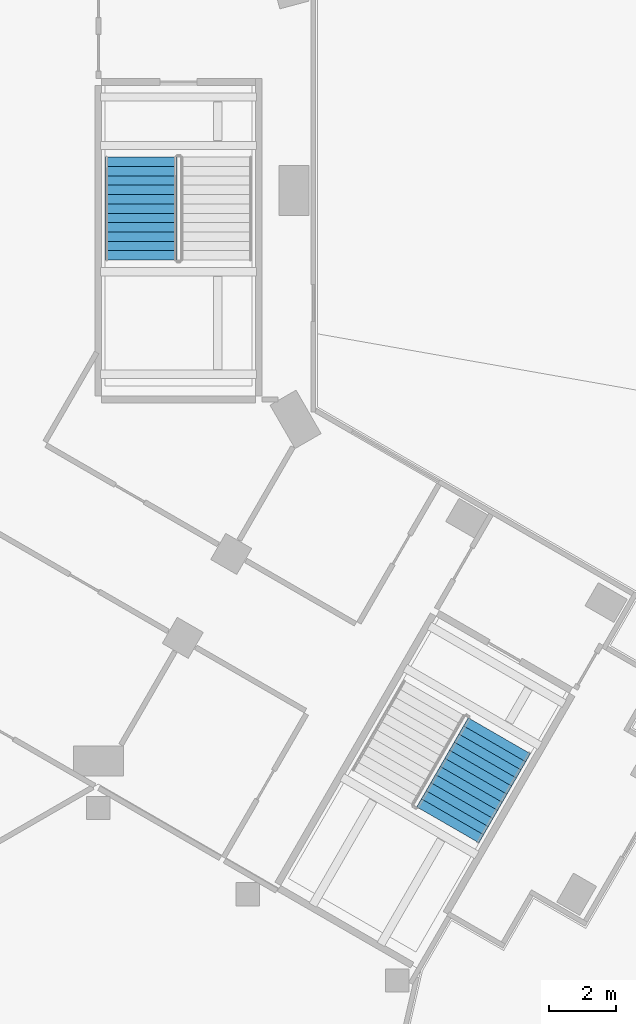
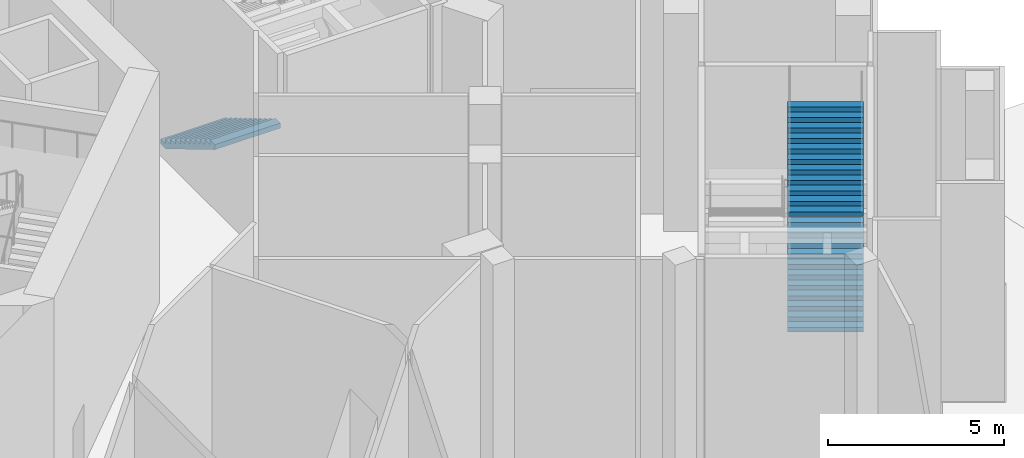
# One storey, part 19 of 30: 3 stair flights, 2 elements without a shape of their own.
"""IFC4 building model written with IfcOpenShell, lengths in metres."""

from ifc_helpers import new_model, si_unit, direction, frame, origin, place, context, subcontext, project, spatial, triangles, material, type_object, element, aggregate, save


model = new_model("IFC4")

# Units and contexts
model_context = context("Model", 3, precision=1e-05, world=origin(), true_north=direction((0.0, 1.0)))
body_context = subcontext(model_context, "Body", "Model", "MODEL_VIEW")
ifc_project = project(units=[si_unit("LENGTHUNIT", "METRE"), si_unit("AREAUNIT", "SQUARE_METRE"), si_unit("VOLUMEUNIT", "CUBIC_METRE"), si_unit("PLANEANGLEUNIT", "RADIAN"), si_unit("MASSUNIT", "GRAM", prefix="KILO")], contexts=[model_context])

# Site, building, storey
site_placement = place(None, origin())
site = spatial("IfcSite", under=ifc_project, at=site_placement, CompositionType="ELEMENT")
building_placement = place(site_placement, origin())
building = spatial("IfcBuilding", under=site, at=building_placement, Name="Verdalira Terraces Hotel", CompositionType="ELEMENT")
storey_placement = place(building_placement, origin())
storey = spatial("IfcBuildingStorey", under=building, at=storey_placement, Name="L00", CompositionType="ELEMENT", Elevation=0.0)

# Stair, stair flights
ifc_material_1 = material(Name="Concrete C40", Category="concrete")
stair_type = type_object("IfcStairType", Name="Podium stair 48 risers", PredefinedType="HALF_TURN_STAIR", material=ifc_material_1)
stair_1_placement = place(storey_placement, origin())
stair_1 = element("IfcStair", 1, at=stair_1_placement, inside=storey, type_object=stair_type, Name="L00 Exit stair PS3", PredefinedType="HALF_TURN_STAIR")
ifc_material_2 = material(Name="Concrete C40", Category="concrete")
stair_flight_type = type_object("IfcStairFlightType", Name="Podium stair flight 48 risers", PredefinedType="STRAIGHT", material=ifc_material_2)
stair_flight_1_placement = place(storey_placement, frame((28.214844, -18.980225, 2.0), z_axis=(0.0, 0.0, 1.0), x_axis=(0.5, 0.866025404, 0.0)))
stair_flight_1 = element("IfcStairFlight", 2, at=stair_flight_1_placement, type_object=stair_flight_type, Name="PS3 flight 2", NumberOfRisers=12, NumberOfTreads=11, PredefinedType="STRAIGHT", RiserHeight=0.166666667, TreadLength=0.28, context=body_context, shape_type="Tessellation", body=[
    triangles([(0.0, 1.074951, 0.0), (0.292969, 1.074951, 0.0), (3.080078, 1.074951, 1.658936), (0.0, -1.074951, 0.0), (0.292969, -1.074951, 0.0), (3.080078, -1.074951, 1.658936), (3.080078, 1.074951, 1.833252), (2.800049, 1.074951, 1.833252), (3.080078, -1.074951, 1.833252), (2.800049, -1.074951, 1.833252), (2.800049, 1.074951, 1.666748), (2.800049, -1.074951, 1.666748), (2.52002, 1.074951, 1.666748), (2.52002, -1.074951, 1.666748), (2.52002, 1.074951, 1.5), (2.52002, -1.074951, 1.5), (2.23999, 1.074951, 1.5), (2.23999, 1.074951, 1.333252), (2.23999, -1.074951, 1.5), (2.23999, -1.074951, 1.333252), (1.959961, 1.074951, 1.333252), (1.959961, 1.074951, 1.166748), (1.959961, -1.074951, 1.333252), (1.959961, -1.074951, 1.166748), (1.679932, 1.074951, 1.166748), (1.679932, 1.074951, 1.0), (1.679932, -1.074951, 1.166748), (1.679932, -1.074951, 1.0), (1.399902, 1.074951, 1.0), (1.399902, 1.074951, 0.833252), (1.399902, -1.074951, 1.0), (1.399902, -1.074951, 0.833252), (1.120117, 1.074951, 0.833252), (1.120117, 1.074951, 0.666748), (1.120117, -1.074951, 0.833252), (1.120117, -1.074951, 0.666748), (0.840088, 1.074951, 0.666748), (0.840088, 1.074951, 0.5), (0.840088, -1.074951, 0.666748), (0.840088, -1.074951, 0.5), (0.560059, 1.074951, 0.5), (0.560059, 1.074951, 0.333252), (0.560059, -1.074951, 0.5), (0.560059, -1.074951, 0.333252), (0.280029, 1.074951, 0.333252), (0.280029, 1.074951, 0.166748), (0.280029, -1.074951, 0.333252), (0.280029, -1.074951, 0.166748), (0.0, 1.074951, 0.166748), (0.0, -1.074951, 0.166748), (0.0, -1.007767, 0.0), (0.0, -1.007767, 0.166748), (0.0, -0.940582, 0.0), (0.0, -0.940582, 0.166748), (0.0, -0.873398, 0.0), (0.0, -0.873398, 0.166748), (0.0, -0.806213, 0.0), (0.0, -0.806213, 0.166748), (0.0, -0.739029, 0.0), (0.0, -0.739029, 0.166748), (0.0, -0.671844, 0.0), (0.0, -0.671844, 0.166748), (0.0, -0.60466, 0.0), (0.0, -0.60466, 0.166748), (0.0, -0.537476, 0.0), (0.0, -0.537476, 0.166748), (0.0, -0.470291, 0.0), (0.0, -0.470291, 0.166748), (0.0, -0.403107, 0.0), (0.0, -0.403107, 0.166748), (0.0, -0.335922, 0.0), (0.0, -0.335922, 0.166748), (0.0, -0.268738, 0.0), (0.0, -0.268738, 0.166748), (0.0, -0.201553, 0.0), (0.0, -0.201553, 0.166748), (0.0, -0.134369, 0.0), (0.0, -0.134369, 0.166748), (0.0, -0.067184, 0.0), (0.0, -0.067184, 0.166748), (0.0, 0.0, 0.0), (0.0, 0.0, 0.166748), (0.0, 0.067184, 0.0), (0.0, 0.067184, 0.166748), (0.0, 0.134369, 0.0), (0.0, 0.134369, 0.166748), (0.0, 0.201553, 0.0), (0.0, 0.201553, 0.166748), (0.0, 0.268738, 0.0), (0.0, 0.268738, 0.166748), (0.0, 0.335922, 0.0), (0.0, 0.335922, 0.166748), (0.0, 0.403107, 0.0), (0.0, 0.403107, 0.166748), (0.0, 0.470291, 0.0), (0.0, 0.470291, 0.166748), (0.0, 0.537476, 0.0), (0.0, 0.537476, 0.166748), (0.0, 0.60466, 0.0), (0.0, 0.60466, 0.166748), (0.0, 0.671844, 0.0), (0.0, 0.671844, 0.166748), (0.0, 0.739029, 0.0), (0.0, 0.739029, 0.166748), (0.0, 0.806213, 0.0), (0.0, 0.806213, 0.166748), (0.0, 0.873398, 0.0), (0.0, 0.873398, 0.166748), (0.0, 0.940582, 0.0), (0.0, 0.940582, 0.166748), (0.0, 1.007767, 0.0), (0.0, 1.007767, 0.166748), (3.080078, -1.007767, 1.833252), (3.080078, -0.940582, 1.833252), (3.080078, -0.873398, 1.833252), (3.080078, -0.806213, 1.833252), (3.080078, -0.739029, 1.833252), (3.080078, -0.671844, 1.833252), (3.080078, -0.60466, 1.833252), (3.080078, -0.537476, 1.833252), (3.080078, -0.470291, 1.833252), (3.080078, -0.403107, 1.833252), (3.080078, -0.335922, 1.833252), (3.080078, -0.268738, 1.833252), (3.080078, -0.201553, 1.833252), (3.080078, -0.134369, 1.833252), (3.080078, -0.067184, 1.833252), (3.080078, 0.0, 1.833252), (3.080078, 0.067184, 1.833252), (3.080078, 0.134369, 1.833252), (3.080078, 0.201553, 1.833252), (3.080078, 0.268738, 1.833252), (3.080078, 0.335922, 1.833252), (3.080078, 0.403107, 1.833252), (3.080078, 0.470291, 1.833252), (3.080078, 0.537476, 1.833252), (3.080078, 0.60466, 1.833252), (3.080078, 0.671844, 1.833252), (3.080078, 0.739029, 1.833252), (3.080078, 0.806213, 1.833252), (3.080078, 0.873398, 1.833252), (3.080078, 0.940582, 1.833252), (3.080078, 1.007767, 1.833252), (3.080078, -1.007767, 1.658936), (3.080078, -0.940582, 1.658936), (3.080078, -0.873398, 1.658936), (3.080078, -0.806213, 1.658936), (3.080078, -0.739029, 1.658936), (3.080078, -0.671844, 1.658936), (3.080078, -0.60466, 1.658936), (3.080078, -0.537476, 1.658936), (3.080078, -0.470291, 1.658936), (3.080078, -0.403107, 1.658936), (3.080078, -0.335922, 1.658936), (3.080078, -0.268738, 1.658936), (3.080078, -0.201553, 1.658936), (3.080078, -0.134369, 1.658936), (3.080078, -0.067184, 1.658936), (3.080078, 0.0, 1.658936), (3.080078, 0.067184, 1.658936), (3.080078, 0.134369, 1.658936), (3.080078, 0.201553, 1.658936), (3.080078, 0.268738, 1.658936), (3.080078, 0.335922, 1.658936), (3.080078, 0.403107, 1.658936), (3.080078, 0.470291, 1.658936), (3.080078, 0.537476, 1.658936), (3.080078, 0.60466, 1.658936), (3.080078, 0.671844, 1.658936), (3.080078, 0.739029, 1.658936), (3.080078, 0.806213, 1.658936), (3.080078, 0.873398, 1.658936), (3.080078, 0.940582, 1.658936), (3.080078, 1.007767, 1.658936)], [[1, 3, 2], [4, 5, 6], [3, 8, 7], [6, 9, 10], [3, 11, 8], [6, 10, 12], [3, 13, 11], [6, 12, 14], [3, 15, 13], [6, 14, 16], [15, 18, 17], [16, 19, 20], [3, 18, 15], [6, 16, 20], [18, 22, 21], [20, 23, 24], [3, 22, 18], [6, 20, 24], [22, 26, 25], [24, 27, 28], [3, 26, 22], [6, 24, 28], [26, 30, 29], [28, 31, 32], [3, 30, 26], [6, 28, 32], [30, 34, 33], [32, 35, 36], [3, 34, 30], [6, 32, 36], [34, 38, 37], [36, 39, 40], [3, 38, 34], [6, 36, 40], [38, 42, 41], [40, 43, 44], [3, 42, 38], [6, 40, 44], [1, 42, 3], [4, 6, 44], [42, 46, 45], [44, 47, 48], [1, 46, 42], [4, 44, 48], [46, 1, 49], [48, 50, 4], [4, 52, 51], [4, 50, 52], [51, 54, 53], [51, 52, 54], [53, 56, 55], [53, 54, 56], [55, 58, 57], [55, 56, 58], [57, 60, 59], [57, 58, 60], [59, 62, 61], [59, 60, 62], [61, 64, 63], [61, 62, 64], [63, 66, 65], [63, 64, 66], [65, 68, 67], [65, 66, 68], [67, 70, 69], [67, 68, 70], [69, 72, 71], [69, 70, 72], [71, 74, 73], [71, 72, 74], [73, 76, 75], [73, 74, 76], [75, 78, 77], [75, 76, 78], [77, 80, 79], [77, 78, 80], [79, 82, 81], [79, 80, 82], [81, 84, 83], [81, 82, 84], [83, 86, 85], [83, 84, 86], [85, 88, 87], [85, 86, 88], [87, 90, 89], [87, 88, 90], [89, 92, 91], [89, 90, 92], [91, 94, 93], [91, 92, 94], [93, 96, 95], [93, 94, 96], [95, 98, 97], [95, 96, 98], [97, 100, 99], [97, 98, 100], [99, 102, 101], [99, 100, 102], [101, 104, 103], [101, 102, 104], [103, 106, 105], [103, 104, 106], [105, 108, 107], [105, 106, 108], [107, 110, 109], [107, 108, 110], [109, 112, 111], [109, 110, 112], [111, 49, 1], [111, 112, 49], [50, 48, 52], [52, 48, 54], [54, 48, 56], [56, 48, 58], [58, 48, 60], [60, 48, 62], [62, 48, 64], [64, 48, 66], [66, 48, 68], [68, 48, 70], [70, 48, 72], [72, 48, 74], [74, 48, 76], [76, 48, 78], [78, 48, 80], [80, 48, 82], [82, 48, 84], [84, 48, 86], [86, 48, 88], [88, 48, 90], [90, 48, 92], [92, 48, 94], [94, 48, 96], [96, 48, 98], [98, 48, 100], [100, 48, 102], [102, 48, 104], [104, 48, 106], [106, 48, 108], [108, 48, 110], [110, 48, 112], [112, 48, 49], [49, 48, 46], [48, 45, 46], [48, 47, 45], [47, 42, 45], [47, 44, 42], [44, 41, 42], [44, 43, 41], [43, 38, 41], [43, 40, 38], [40, 37, 38], [40, 39, 37], [39, 34, 37], [39, 36, 34], [36, 33, 34], [36, 35, 33], [35, 30, 33], [35, 32, 30], [32, 29, 30], [32, 31, 29], [31, 26, 29], [31, 28, 26], [28, 25, 26], [28, 27, 25], [27, 22, 25], [27, 24, 22], [24, 21, 22], [24, 23, 21], [23, 18, 21], [23, 20, 18], [20, 17, 18], [20, 19, 17], [19, 15, 17], [19, 16, 15], [16, 13, 15], [16, 14, 13], [14, 11, 13], [14, 12, 11], [12, 8, 11], [12, 10, 8], [9, 113, 10], [113, 114, 10], [114, 115, 10], [115, 116, 10], [116, 117, 10], [117, 118, 10], [118, 119, 10], [119, 120, 10], [120, 121, 10], [121, 122, 10], [122, 123, 10], [123, 124, 10], [124, 125, 10], [125, 126, 10], [126, 127, 10], [127, 128, 10], [128, 129, 10], [129, 130, 10], [130, 131, 10], [131, 132, 10], [132, 133, 10], [133, 134, 10], [134, 135, 10], [135, 136, 10], [136, 137, 10], [137, 138, 10], [138, 139, 10], [139, 140, 10], [140, 141, 10], [141, 142, 10], [142, 143, 10], [143, 7, 10], [7, 8, 10], [9, 144, 113], [9, 6, 144], [113, 145, 114], [113, 144, 145], [114, 146, 115], [114, 145, 146], [115, 147, 116], [115, 146, 147], [116, 148, 117], [116, 147, 148], [117, 149, 118], [117, 148, 149], [118, 150, 119], [118, 149, 150], [119, 151, 120], [119, 150, 151], [120, 152, 121], [120, 151, 152], [121, 153, 122], [121, 152, 153], [122, 154, 123], [122, 153, 154], [123, 155, 124], [123, 154, 155], [124, 156, 125], [124, 155, 156], [125, 157, 126], [125, 156, 157], [126, 158, 127], [126, 157, 158], [127, 159, 128], [127, 158, 159], [128, 160, 129], [128, 159, 160], [129, 161, 130], [129, 160, 161], [130, 162, 131], [130, 161, 162], [131, 163, 132], [131, 162, 163], [132, 164, 133], [132, 163, 164], [133, 165, 134], [133, 164, 165], [134, 166, 135], [134, 165, 166], [135, 167, 136], [135, 166, 167], [136, 168, 137], [136, 167, 168], [137, 169, 138], [137, 168, 169], [138, 170, 139], [138, 169, 170], [139, 171, 140], [139, 170, 171], [140, 172, 141], [140, 171, 172], [141, 173, 142], [141, 172, 173], [142, 174, 143], [142, 173, 174], [143, 3, 7], [143, 174, 3], [6, 5, 144], [144, 5, 145], [145, 5, 146], [146, 5, 147], [147, 5, 148], [148, 5, 149], [149, 5, 150], [150, 5, 151], [151, 5, 152], [152, 5, 153], [153, 5, 154], [154, 5, 155], [155, 5, 156], [156, 5, 157], [157, 5, 158], [158, 5, 159], [159, 5, 160], [160, 5, 161], [161, 5, 162], [162, 5, 163], [163, 5, 164], [164, 5, 165], [165, 5, 166], [166, 5, 167], [167, 5, 168], [168, 5, 169], [169, 5, 170], [170, 5, 171], [171, 5, 172], [172, 5, 173], [173, 5, 174], [174, 5, 3], [3, 5, 2], [4, 51, 5], [51, 53, 5], [53, 55, 5], [55, 57, 5], [57, 59, 5], [59, 61, 5], [61, 63, 5], [63, 65, 5], [65, 67, 5], [67, 69, 5], [69, 71, 5], [71, 73, 5], [73, 75, 5], [75, 77, 5], [77, 79, 5], [79, 81, 5], [81, 83, 5], [83, 85, 5], [85, 87, 5], [87, 89, 5], [89, 91, 5], [91, 93, 5], [93, 95, 5], [95, 97, 5], [97, 99, 5], [99, 101, 5], [101, 103, 5], [103, 105, 5], [105, 107, 5], [107, 109, 5], [109, 111, 5], [111, 1, 5], [1, 2, 5]], closed=True),
])
stair_flight_2_placement = place(storey_placement, frame((28.214844, -18.980225, 6.0), z_axis=(0.0, 0.0, 1.0), x_axis=(0.5, 0.866025404, 0.0)))
stair_flight_2 = element("IfcStairFlight", 3, at=stair_flight_2_placement, type_object=stair_flight_type, Name="PS3 flight 4", NumberOfRisers=12, NumberOfTreads=11, PredefinedType="STRAIGHT", RiserHeight=0.166666667, TreadLength=0.28, context=body_context, shape_type="Tessellation", body=[
    triangles([(0.0, 1.074951, 0.0), (0.292969, 1.074951, 0.0), (3.080078, 1.074951, 1.658936), (0.0, -1.074951, 0.0), (0.292969, -1.074951, 0.0), (3.080078, -1.074951, 1.658936), (3.080078, 1.074951, 1.833252), (2.800049, 1.074951, 1.833252), (3.080078, -1.074951, 1.833252), (2.800049, -1.074951, 1.833252), (2.800049, 1.074951, 1.666748), (2.800049, -1.074951, 1.666748), (2.52002, 1.074951, 1.666748), (2.52002, -1.074951, 1.666748), (2.52002, 1.074951, 1.5), (2.52002, -1.074951, 1.5), (2.23999, 1.074951, 1.5), (2.23999, 1.074951, 1.333252), (2.23999, -1.074951, 1.5), (2.23999, -1.074951, 1.333252), (1.959961, 1.074951, 1.333252), (1.959961, 1.074951, 1.166748), (1.959961, -1.074951, 1.333252), (1.959961, -1.074951, 1.166748), (1.679932, 1.074951, 1.166748), (1.679932, 1.074951, 1.0), (1.679932, -1.074951, 1.166748), (1.679932, -1.074951, 1.0), (1.399902, 1.074951, 1.0), (1.399902, 1.074951, 0.833252), (1.399902, -1.074951, 1.0), (1.399902, -1.074951, 0.833252), (1.120117, 1.074951, 0.833252), (1.120117, 1.074951, 0.666748), (1.120117, -1.074951, 0.833252), (1.120117, -1.074951, 0.666748), (0.840088, 1.074951, 0.666748), (0.840088, 1.074951, 0.5), (0.840088, -1.074951, 0.666748), (0.840088, -1.074951, 0.5), (0.560059, 1.074951, 0.5), (0.560059, 1.074951, 0.333252), (0.560059, -1.074951, 0.5), (0.560059, -1.074951, 0.333252), (0.280029, 1.074951, 0.333252), (0.280029, 1.074951, 0.166748), (0.280029, -1.074951, 0.333252), (0.280029, -1.074951, 0.166748), (0.0, 1.074951, 0.166748), (0.0, -1.074951, 0.166748), (0.0, -1.007767, 0.0), (0.0, -1.007767, 0.166748), (0.0, -0.940582, 0.0), (0.0, -0.940582, 0.166748), (0.0, -0.873398, 0.0), (0.0, -0.873398, 0.166748), (0.0, -0.806213, 0.0), (0.0, -0.806213, 0.166748), (0.0, -0.739029, 0.0), (0.0, -0.739029, 0.166748), (0.0, -0.671844, 0.0), (0.0, -0.671844, 0.166748), (0.0, -0.60466, 0.0), (0.0, -0.60466, 0.166748), (0.0, -0.537476, 0.0), (0.0, -0.537476, 0.166748), (0.0, -0.470291, 0.0), (0.0, -0.470291, 0.166748), (0.0, -0.403107, 0.0), (0.0, -0.403107, 0.166748), (0.0, -0.335922, 0.0), (0.0, -0.335922, 0.166748), (0.0, -0.268738, 0.0), (0.0, -0.268738, 0.166748), (0.0, -0.201553, 0.0), (0.0, -0.201553, 0.166748), (0.0, -0.134369, 0.0), (0.0, -0.134369, 0.166748), (0.0, -0.067184, 0.0), (0.0, -0.067184, 0.166748), (0.0, 0.0, 0.0), (0.0, 0.0, 0.166748), (0.0, 0.067184, 0.0), (0.0, 0.067184, 0.166748), (0.0, 0.134369, 0.0), (0.0, 0.134369, 0.166748), (0.0, 0.201553, 0.0), (0.0, 0.201553, 0.166748), (0.0, 0.268738, 0.0), (0.0, 0.268738, 0.166748), (0.0, 0.335922, 0.0), (0.0, 0.335922, 0.166748), (0.0, 0.403107, 0.0), (0.0, 0.403107, 0.166748), (0.0, 0.470291, 0.0), (0.0, 0.470291, 0.166748), (0.0, 0.537476, 0.0), (0.0, 0.537476, 0.166748), (0.0, 0.60466, 0.0), (0.0, 0.60466, 0.166748), (0.0, 0.671844, 0.0), (0.0, 0.671844, 0.166748), (0.0, 0.739029, 0.0), (0.0, 0.739029, 0.166748), (0.0, 0.806213, 0.0), (0.0, 0.806213, 0.166748), (0.0, 0.873398, 0.0), (0.0, 0.873398, 0.166748), (0.0, 0.940582, 0.0), (0.0, 0.940582, 0.166748), (0.0, 1.007767, 0.0), (0.0, 1.007767, 0.166748), (3.080078, -1.007767, 1.833252), (3.080078, -0.940582, 1.833252), (3.080078, -0.873398, 1.833252), (3.080078, -0.806213, 1.833252), (3.080078, -0.739029, 1.833252), (3.080078, -0.671844, 1.833252), (3.080078, -0.60466, 1.833252), (3.080078, -0.537476, 1.833252), (3.080078, -0.470291, 1.833252), (3.080078, -0.403107, 1.833252), (3.080078, -0.335922, 1.833252), (3.080078, -0.268738, 1.833252), (3.080078, -0.201553, 1.833252), (3.080078, -0.134369, 1.833252), (3.080078, -0.067184, 1.833252), (3.080078, 0.0, 1.833252), (3.080078, 0.067184, 1.833252), (3.080078, 0.134369, 1.833252), (3.080078, 0.201553, 1.833252), (3.080078, 0.268738, 1.833252), (3.080078, 0.335922, 1.833252), (3.080078, 0.403107, 1.833252), (3.080078, 0.470291, 1.833252), (3.080078, 0.537476, 1.833252), (3.080078, 0.60466, 1.833252), (3.080078, 0.671844, 1.833252), (3.080078, 0.739029, 1.833252), (3.080078, 0.806213, 1.833252), (3.080078, 0.873398, 1.833252), (3.080078, 0.940582, 1.833252), (3.080078, 1.007767, 1.833252), (3.080078, -1.007767, 1.658936), (3.080078, -0.940582, 1.658936), (3.080078, -0.873398, 1.658936), (3.080078, -0.806213, 1.658936), (3.080078, -0.739029, 1.658936), (3.080078, -0.671844, 1.658936), (3.080078, -0.60466, 1.658936), (3.080078, -0.537476, 1.658936), (3.080078, -0.470291, 1.658936), (3.080078, -0.403107, 1.658936), (3.080078, -0.335922, 1.658936), (3.080078, -0.268738, 1.658936), (3.080078, -0.201553, 1.658936), (3.080078, -0.134369, 1.658936), (3.080078, -0.067184, 1.658936), (3.080078, 0.0, 1.658936), (3.080078, 0.067184, 1.658936), (3.080078, 0.134369, 1.658936), (3.080078, 0.201553, 1.658936), (3.080078, 0.268738, 1.658936), (3.080078, 0.335922, 1.658936), (3.080078, 0.403107, 1.658936), (3.080078, 0.470291, 1.658936), (3.080078, 0.537476, 1.658936), (3.080078, 0.60466, 1.658936), (3.080078, 0.671844, 1.658936), (3.080078, 0.739029, 1.658936), (3.080078, 0.806213, 1.658936), (3.080078, 0.873398, 1.658936), (3.080078, 0.940582, 1.658936), (3.080078, 1.007767, 1.658936)], [[1, 3, 2], [4, 5, 6], [3, 8, 7], [6, 9, 10], [3, 11, 8], [6, 10, 12], [3, 13, 11], [6, 12, 14], [3, 15, 13], [6, 14, 16], [15, 18, 17], [16, 19, 20], [3, 18, 15], [6, 16, 20], [18, 22, 21], [20, 23, 24], [3, 22, 18], [6, 20, 24], [22, 26, 25], [24, 27, 28], [3, 26, 22], [6, 24, 28], [26, 30, 29], [28, 31, 32], [3, 30, 26], [6, 28, 32], [30, 34, 33], [32, 35, 36], [3, 34, 30], [6, 32, 36], [34, 38, 37], [36, 39, 40], [3, 38, 34], [6, 36, 40], [38, 42, 41], [40, 43, 44], [3, 42, 38], [6, 40, 44], [1, 42, 3], [4, 6, 44], [42, 46, 45], [44, 47, 48], [1, 46, 42], [4, 44, 48], [46, 1, 49], [48, 50, 4], [4, 52, 51], [4, 50, 52], [51, 54, 53], [51, 52, 54], [53, 56, 55], [53, 54, 56], [55, 58, 57], [55, 56, 58], [57, 60, 59], [57, 58, 60], [59, 62, 61], [59, 60, 62], [61, 64, 63], [61, 62, 64], [63, 66, 65], [63, 64, 66], [65, 68, 67], [65, 66, 68], [67, 70, 69], [67, 68, 70], [69, 72, 71], [69, 70, 72], [71, 74, 73], [71, 72, 74], [73, 76, 75], [73, 74, 76], [75, 78, 77], [75, 76, 78], [77, 80, 79], [77, 78, 80], [79, 82, 81], [79, 80, 82], [81, 84, 83], [81, 82, 84], [83, 86, 85], [83, 84, 86], [85, 88, 87], [85, 86, 88], [87, 90, 89], [87, 88, 90], [89, 92, 91], [89, 90, 92], [91, 94, 93], [91, 92, 94], [93, 96, 95], [93, 94, 96], [95, 98, 97], [95, 96, 98], [97, 100, 99], [97, 98, 100], [99, 102, 101], [99, 100, 102], [101, 104, 103], [101, 102, 104], [103, 106, 105], [103, 104, 106], [105, 108, 107], [105, 106, 108], [107, 110, 109], [107, 108, 110], [109, 112, 111], [109, 110, 112], [111, 49, 1], [111, 112, 49], [50, 48, 52], [52, 48, 54], [54, 48, 56], [56, 48, 58], [58, 48, 60], [60, 48, 62], [62, 48, 64], [64, 48, 66], [66, 48, 68], [68, 48, 70], [70, 48, 72], [72, 48, 74], [74, 48, 76], [76, 48, 78], [78, 48, 80], [80, 48, 82], [82, 48, 84], [84, 48, 86], [86, 48, 88], [88, 48, 90], [90, 48, 92], [92, 48, 94], [94, 48, 96], [96, 48, 98], [98, 48, 100], [100, 48, 102], [102, 48, 104], [104, 48, 106], [106, 48, 108], [108, 48, 110], [110, 48, 112], [112, 48, 49], [49, 48, 46], [48, 45, 46], [48, 47, 45], [47, 42, 45], [47, 44, 42], [44, 41, 42], [44, 43, 41], [43, 38, 41], [43, 40, 38], [40, 37, 38], [40, 39, 37], [39, 34, 37], [39, 36, 34], [36, 33, 34], [36, 35, 33], [35, 30, 33], [35, 32, 30], [32, 29, 30], [32, 31, 29], [31, 26, 29], [31, 28, 26], [28, 25, 26], [28, 27, 25], [27, 22, 25], [27, 24, 22], [24, 21, 22], [24, 23, 21], [23, 18, 21], [23, 20, 18], [20, 17, 18], [20, 19, 17], [19, 15, 17], [19, 16, 15], [16, 13, 15], [16, 14, 13], [14, 11, 13], [14, 12, 11], [12, 8, 11], [12, 10, 8], [9, 113, 10], [113, 114, 10], [114, 115, 10], [115, 116, 10], [116, 117, 10], [117, 118, 10], [118, 119, 10], [119, 120, 10], [120, 121, 10], [121, 122, 10], [122, 123, 10], [123, 124, 10], [124, 125, 10], [125, 126, 10], [126, 127, 10], [127, 128, 10], [128, 129, 10], [129, 130, 10], [130, 131, 10], [131, 132, 10], [132, 133, 10], [133, 134, 10], [134, 135, 10], [135, 136, 10], [136, 137, 10], [137, 138, 10], [138, 139, 10], [139, 140, 10], [140, 141, 10], [141, 142, 10], [142, 143, 10], [143, 7, 10], [7, 8, 10], [9, 144, 113], [9, 6, 144], [113, 145, 114], [113, 144, 145], [114, 146, 115], [114, 145, 146], [115, 147, 116], [115, 146, 147], [116, 148, 117], [116, 147, 148], [117, 149, 118], [117, 148, 149], [118, 150, 119], [118, 149, 150], [119, 151, 120], [119, 150, 151], [120, 152, 121], [120, 151, 152], [121, 153, 122], [121, 152, 153], [122, 154, 123], [122, 153, 154], [123, 155, 124], [123, 154, 155], [124, 156, 125], [124, 155, 156], [125, 157, 126], [125, 156, 157], [126, 158, 127], [126, 157, 158], [127, 159, 128], [127, 158, 159], [128, 160, 129], [128, 159, 160], [129, 161, 130], [129, 160, 161], [130, 162, 131], [130, 161, 162], [131, 163, 132], [131, 162, 163], [132, 164, 133], [132, 163, 164], [133, 165, 134], [133, 164, 165], [134, 166, 135], [134, 165, 166], [135, 167, 136], [135, 166, 167], [136, 168, 137], [136, 167, 168], [137, 169, 138], [137, 168, 169], [138, 170, 139], [138, 169, 170], [139, 171, 140], [139, 170, 171], [140, 172, 141], [140, 171, 172], [141, 173, 142], [141, 172, 173], [142, 174, 143], [142, 173, 174], [143, 3, 7], [143, 174, 3], [6, 5, 144], [144, 5, 145], [145, 5, 146], [146, 5, 147], [147, 5, 148], [148, 5, 149], [149, 5, 150], [150, 5, 151], [151, 5, 152], [152, 5, 153], [153, 5, 154], [154, 5, 155], [155, 5, 156], [156, 5, 157], [157, 5, 158], [158, 5, 159], [159, 5, 160], [160, 5, 161], [161, 5, 162], [162, 5, 163], [163, 5, 164], [164, 5, 165], [165, 5, 166], [166, 5, 167], [167, 5, 168], [168, 5, 169], [169, 5, 170], [170, 5, 171], [171, 5, 172], [172, 5, 173], [173, 5, 174], [174, 5, 3], [3, 5, 2], [4, 51, 5], [51, 53, 5], [53, 55, 5], [55, 57, 5], [57, 59, 5], [59, 61, 5], [61, 63, 5], [63, 65, 5], [65, 67, 5], [67, 69, 5], [69, 71, 5], [71, 73, 5], [73, 75, 5], [75, 77, 5], [77, 79, 5], [79, 81, 5], [81, 83, 5], [83, 85, 5], [85, 87, 5], [87, 89, 5], [89, 91, 5], [91, 93, 5], [93, 95, 5], [95, 97, 5], [97, 99, 5], [99, 101, 5], [101, 103, 5], [103, 105, 5], [105, 107, 5], [107, 109, 5], [109, 111, 5], [111, 1, 5], [1, 2, 5]], closed=True),
])
aggregate(stair_1, [stair_flight_1, stair_flight_2])

# Stair, stair flight
stair_2_placement = place(storey_placement, origin())
stair_2 = element("IfcStair", 4, at=stair_2_placement, inside=storey, type_object=stair_type, Name="L00 Exit stair PS4", PredefinedType="HALF_TURN_STAIR")
stair_flight_3_placement = place(storey_placement, frame((19.033447, 1.0, 0.0), z_axis=(0.0, 0.0, 1.0), x_axis=(0.0, -1.0, 0.0)))
stair_flight_3 = element("IfcStairFlight", 5, at=stair_flight_3_placement, type_object=stair_flight_type, Name="PS4 flight 1", NumberOfRisers=12, NumberOfTreads=11, PredefinedType="STRAIGHT", RiserHeight=0.166666667, TreadLength=0.28, context=body_context, shape_type="Tessellation", body=[
    triangles([(0.0, 1.074951, 0.0), (0.292969, 1.074951, 0.0), (3.080078, 1.074951, 1.658936), (0.0, -1.074951, 0.0), (0.292969, -1.074951, 0.0), (3.080078, -1.074951, 1.658936), (3.080078, 1.074951, 1.833252), (2.800049, 1.074951, 1.833252), (3.080078, -1.074951, 1.833252), (2.800049, -1.074951, 1.833252), (2.800049, 1.074951, 1.666748), (2.800049, -1.074951, 1.666748), (2.52002, 1.074951, 1.666748), (2.52002, -1.074951, 1.666748), (2.52002, 1.074951, 1.5), (2.52002, -1.074951, 1.5), (2.23999, 1.074951, 1.5), (2.23999, 1.074951, 1.333252), (2.23999, -1.074951, 1.5), (2.23999, -1.074951, 1.333252), (1.959961, 1.074951, 1.333252), (1.959961, 1.074951, 1.166748), (1.959961, -1.074951, 1.333252), (1.959961, -1.074951, 1.166748), (1.679932, 1.074951, 1.166748), (1.679932, 1.074951, 1.0), (1.679932, -1.074951, 1.166748), (1.679932, -1.074951, 1.0), (1.399902, 1.074951, 1.0), (1.399902, 1.074951, 0.833252), (1.399902, -1.074951, 1.0), (1.399902, -1.074951, 0.833252), (1.120117, 1.074951, 0.833252), (1.120117, 1.074951, 0.666748), (1.120117, -1.074951, 0.833252), (1.120117, -1.074951, 0.666748), (0.840088, 1.074951, 0.666748), (0.840088, 1.074951, 0.5), (0.840088, -1.074951, 0.666748), (0.840088, -1.074951, 0.5), (0.560059, 1.074951, 0.5), (0.560059, 1.074951, 0.333252), (0.560059, -1.074951, 0.5), (0.560059, -1.074951, 0.333252), (0.280029, 1.074951, 0.333252), (0.280029, 1.074951, 0.166748), (0.280029, -1.074951, 0.333252), (0.280029, -1.074951, 0.166748), (0.0, 1.074951, 0.166748), (0.0, -1.074951, 0.166748), (0.0, -1.007767, 0.0), (0.0, -1.007767, 0.166748), (0.0, -0.940582, 0.0), (0.0, -0.940582, 0.166748), (0.0, -0.873398, 0.0), (0.0, -0.873398, 0.166748), (0.0, -0.806213, 0.0), (0.0, -0.806213, 0.166748), (0.0, -0.739029, 0.0), (0.0, -0.739029, 0.166748), (0.0, -0.671844, 0.0), (0.0, -0.671844, 0.166748), (0.0, -0.60466, 0.0), (0.0, -0.60466, 0.166748), (0.0, -0.537476, 0.0), (0.0, -0.537476, 0.166748), (0.0, -0.470291, 0.0), (0.0, -0.470291, 0.166748), (0.0, -0.403107, 0.0), (0.0, -0.403107, 0.166748), (0.0, -0.335922, 0.0), (0.0, -0.335922, 0.166748), (0.0, -0.268738, 0.0), (0.0, -0.268738, 0.166748), (0.0, -0.201553, 0.0), (0.0, -0.201553, 0.166748), (0.0, -0.134369, 0.0), (0.0, -0.134369, 0.166748), (0.0, -0.067184, 0.0), (0.0, -0.067184, 0.166748), (0.0, 0.0, 0.0), (0.0, 0.0, 0.166748), (0.0, 0.067184, 0.0), (0.0, 0.067184, 0.166748), (0.0, 0.134369, 0.0), (0.0, 0.134369, 0.166748), (0.0, 0.201553, 0.0), (0.0, 0.201553, 0.166748), (0.0, 0.268738, 0.0), (0.0, 0.268738, 0.166748), (0.0, 0.335922, 0.0), (0.0, 0.335922, 0.166748), (0.0, 0.403107, 0.0), (0.0, 0.403107, 0.166748), (0.0, 0.470291, 0.0), (0.0, 0.470291, 0.166748), (0.0, 0.537476, 0.0), (0.0, 0.537476, 0.166748), (0.0, 0.60466, 0.0), (0.0, 0.60466, 0.166748), (0.0, 0.671844, 0.0), (0.0, 0.671844, 0.166748), (0.0, 0.739029, 0.0), (0.0, 0.739029, 0.166748), (0.0, 0.806213, 0.0), (0.0, 0.806213, 0.166748), (0.0, 0.873398, 0.0), (0.0, 0.873398, 0.166748), (0.0, 0.940582, 0.0), (0.0, 0.940582, 0.166748), (0.0, 1.007767, 0.0), (0.0, 1.007767, 0.166748), (3.080078, -1.007767, 1.833252), (3.080078, -0.940582, 1.833252), (3.080078, -0.873398, 1.833252), (3.080078, -0.806213, 1.833252), (3.080078, -0.739029, 1.833252), (3.080078, -0.671844, 1.833252), (3.080078, -0.60466, 1.833252), (3.080078, -0.537476, 1.833252), (3.080078, -0.470291, 1.833252), (3.080078, -0.403107, 1.833252), (3.080078, -0.335922, 1.833252), (3.080078, -0.268738, 1.833252), (3.080078, -0.201553, 1.833252), (3.080078, -0.134369, 1.833252), (3.080078, -0.067184, 1.833252), (3.080078, 0.0, 1.833252), (3.080078, 0.067184, 1.833252), (3.080078, 0.134369, 1.833252), (3.080078, 0.201553, 1.833252), (3.080078, 0.268738, 1.833252), (3.080078, 0.335922, 1.833252), (3.080078, 0.403107, 1.833252), (3.080078, 0.470291, 1.833252), (3.080078, 0.537476, 1.833252), (3.080078, 0.60466, 1.833252), (3.080078, 0.671844, 1.833252), (3.080078, 0.739029, 1.833252), (3.080078, 0.806213, 1.833252), (3.080078, 0.873398, 1.833252), (3.080078, 0.940582, 1.833252), (3.080078, 1.007767, 1.833252), (3.080078, -1.007767, 1.658936), (3.080078, -0.940582, 1.658936), (3.080078, -0.873398, 1.658936), (3.080078, -0.806213, 1.658936), (3.080078, -0.739029, 1.658936), (3.080078, -0.671844, 1.658936), (3.080078, -0.60466, 1.658936), (3.080078, -0.537476, 1.658936), (3.080078, -0.470291, 1.658936), (3.080078, -0.403107, 1.658936), (3.080078, -0.335922, 1.658936), (3.080078, -0.268738, 1.658936), (3.080078, -0.201553, 1.658936), (3.080078, -0.134369, 1.658936), (3.080078, -0.067184, 1.658936), (3.080078, 0.0, 1.658936), (3.080078, 0.067184, 1.658936), (3.080078, 0.134369, 1.658936), (3.080078, 0.201553, 1.658936), (3.080078, 0.268738, 1.658936), (3.080078, 0.335922, 1.658936), (3.080078, 0.403107, 1.658936), (3.080078, 0.470291, 1.658936), (3.080078, 0.537476, 1.658936), (3.080078, 0.60466, 1.658936), (3.080078, 0.671844, 1.658936), (3.080078, 0.739029, 1.658936), (3.080078, 0.806213, 1.658936), (3.080078, 0.873398, 1.658936), (3.080078, 0.940582, 1.658936), (3.080078, 1.007767, 1.658936)], [[1, 3, 2], [4, 5, 6], [3, 8, 7], [6, 9, 10], [3, 11, 8], [6, 10, 12], [3, 13, 11], [6, 12, 14], [3, 15, 13], [6, 14, 16], [15, 18, 17], [16, 19, 20], [3, 18, 15], [6, 16, 20], [18, 22, 21], [20, 23, 24], [3, 22, 18], [6, 20, 24], [22, 26, 25], [24, 27, 28], [3, 26, 22], [6, 24, 28], [26, 30, 29], [28, 31, 32], [3, 30, 26], [6, 28, 32], [30, 34, 33], [32, 35, 36], [3, 34, 30], [6, 32, 36], [34, 38, 37], [36, 39, 40], [3, 38, 34], [6, 36, 40], [38, 42, 41], [40, 43, 44], [3, 42, 38], [6, 40, 44], [1, 42, 3], [4, 6, 44], [42, 46, 45], [44, 47, 48], [1, 46, 42], [4, 44, 48], [46, 1, 49], [48, 50, 4], [4, 52, 51], [4, 50, 52], [51, 54, 53], [51, 52, 54], [53, 56, 55], [53, 54, 56], [55, 58, 57], [55, 56, 58], [57, 60, 59], [57, 58, 60], [59, 62, 61], [59, 60, 62], [61, 64, 63], [61, 62, 64], [63, 66, 65], [63, 64, 66], [65, 68, 67], [65, 66, 68], [67, 70, 69], [67, 68, 70], [69, 72, 71], [69, 70, 72], [71, 74, 73], [71, 72, 74], [73, 76, 75], [73, 74, 76], [75, 78, 77], [75, 76, 78], [77, 80, 79], [77, 78, 80], [79, 82, 81], [79, 80, 82], [81, 84, 83], [81, 82, 84], [83, 86, 85], [83, 84, 86], [85, 88, 87], [85, 86, 88], [87, 90, 89], [87, 88, 90], [89, 92, 91], [89, 90, 92], [91, 94, 93], [91, 92, 94], [93, 96, 95], [93, 94, 96], [95, 98, 97], [95, 96, 98], [97, 100, 99], [97, 98, 100], [99, 102, 101], [99, 100, 102], [101, 104, 103], [101, 102, 104], [103, 106, 105], [103, 104, 106], [105, 108, 107], [105, 106, 108], [107, 110, 109], [107, 108, 110], [109, 112, 111], [109, 110, 112], [111, 49, 1], [111, 112, 49], [50, 48, 52], [52, 48, 54], [54, 48, 56], [56, 48, 58], [58, 48, 60], [60, 48, 62], [62, 48, 64], [64, 48, 66], [66, 48, 68], [68, 48, 70], [70, 48, 72], [72, 48, 74], [74, 48, 76], [76, 48, 78], [78, 48, 80], [80, 48, 82], [82, 48, 84], [84, 48, 86], [86, 48, 88], [88, 48, 90], [90, 48, 92], [92, 48, 94], [94, 48, 96], [96, 48, 98], [98, 48, 100], [100, 48, 102], [102, 48, 104], [104, 48, 106], [106, 48, 108], [108, 48, 110], [110, 48, 112], [112, 48, 49], [49, 48, 46], [48, 45, 46], [48, 47, 45], [47, 42, 45], [47, 44, 42], [44, 41, 42], [44, 43, 41], [43, 38, 41], [43, 40, 38], [40, 37, 38], [40, 39, 37], [39, 34, 37], [39, 36, 34], [36, 33, 34], [36, 35, 33], [35, 30, 33], [35, 32, 30], [32, 29, 30], [32, 31, 29], [31, 26, 29], [31, 28, 26], [28, 25, 26], [28, 27, 25], [27, 22, 25], [27, 24, 22], [24, 21, 22], [24, 23, 21], [23, 18, 21], [23, 20, 18], [20, 17, 18], [20, 19, 17], [19, 15, 17], [19, 16, 15], [16, 13, 15], [16, 14, 13], [14, 11, 13], [14, 12, 11], [12, 8, 11], [12, 10, 8], [9, 113, 10], [113, 114, 10], [114, 115, 10], [115, 116, 10], [116, 117, 10], [117, 118, 10], [118, 119, 10], [119, 120, 10], [120, 121, 10], [121, 122, 10], [122, 123, 10], [123, 124, 10], [124, 125, 10], [125, 126, 10], [126, 127, 10], [127, 128, 10], [128, 129, 10], [129, 130, 10], [130, 131, 10], [131, 132, 10], [132, 133, 10], [133, 134, 10], [134, 135, 10], [135, 136, 10], [136, 137, 10], [137, 138, 10], [138, 139, 10], [139, 140, 10], [140, 141, 10], [141, 142, 10], [142, 143, 10], [143, 7, 10], [7, 8, 10], [9, 144, 113], [9, 6, 144], [113, 145, 114], [113, 144, 145], [114, 146, 115], [114, 145, 146], [115, 147, 116], [115, 146, 147], [116, 148, 117], [116, 147, 148], [117, 149, 118], [117, 148, 149], [118, 150, 119], [118, 149, 150], [119, 151, 120], [119, 150, 151], [120, 152, 121], [120, 151, 152], [121, 153, 122], [121, 152, 153], [122, 154, 123], [122, 153, 154], [123, 155, 124], [123, 154, 155], [124, 156, 125], [124, 155, 156], [125, 157, 126], [125, 156, 157], [126, 158, 127], [126, 157, 158], [127, 159, 128], [127, 158, 159], [128, 160, 129], [128, 159, 160], [129, 161, 130], [129, 160, 161], [130, 162, 131], [130, 161, 162], [131, 163, 132], [131, 162, 163], [132, 164, 133], [132, 163, 164], [133, 165, 134], [133, 164, 165], [134, 166, 135], [134, 165, 166], [135, 167, 136], [135, 166, 167], [136, 168, 137], [136, 167, 168], [137, 169, 138], [137, 168, 169], [138, 170, 139], [138, 169, 170], [139, 171, 140], [139, 170, 171], [140, 172, 141], [140, 171, 172], [141, 173, 142], [141, 172, 173], [142, 174, 143], [142, 173, 174], [143, 3, 7], [143, 174, 3], [6, 5, 144], [144, 5, 145], [145, 5, 146], [146, 5, 147], [147, 5, 148], [148, 5, 149], [149, 5, 150], [150, 5, 151], [151, 5, 152], [152, 5, 153], [153, 5, 154], [154, 5, 155], [155, 5, 156], [156, 5, 157], [157, 5, 158], [158, 5, 159], [159, 5, 160], [160, 5, 161], [161, 5, 162], [162, 5, 163], [163, 5, 164], [164, 5, 165], [165, 5, 166], [166, 5, 167], [167, 5, 168], [168, 5, 169], [169, 5, 170], [170, 5, 171], [171, 5, 172], [172, 5, 173], [173, 5, 174], [174, 5, 3], [3, 5, 2], [4, 51, 5], [51, 53, 5], [53, 55, 5], [55, 57, 5], [57, 59, 5], [59, 61, 5], [61, 63, 5], [63, 65, 5], [65, 67, 5], [67, 69, 5], [69, 71, 5], [71, 73, 5], [73, 75, 5], [75, 77, 5], [77, 79, 5], [79, 81, 5], [81, 83, 5], [83, 85, 5], [85, 87, 5], [87, 89, 5], [89, 91, 5], [91, 93, 5], [93, 95, 5], [95, 97, 5], [97, 99, 5], [99, 101, 5], [101, 103, 5], [103, 105, 5], [105, 107, 5], [107, 109, 5], [109, 111, 5], [111, 1, 5], [1, 2, 5]], closed=True),
])
aggregate(stair_2, [stair_flight_3])

save(model, "model.ifc")
